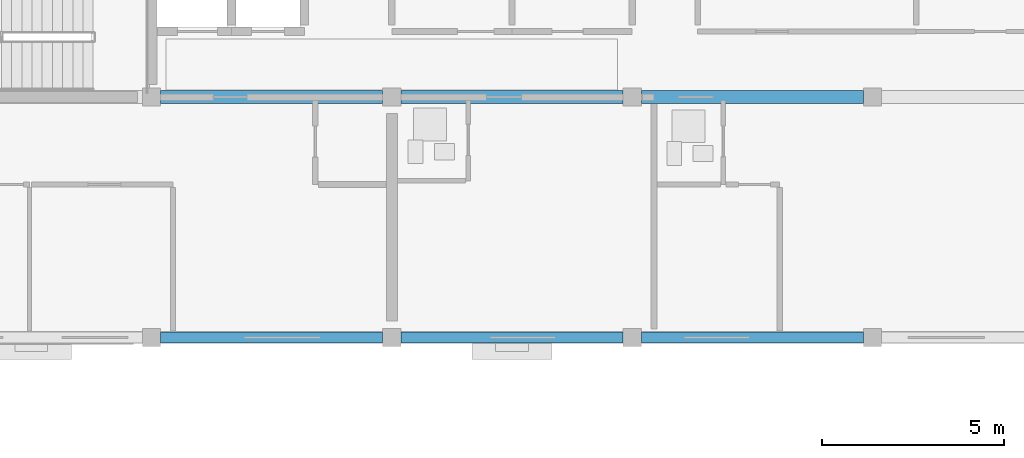
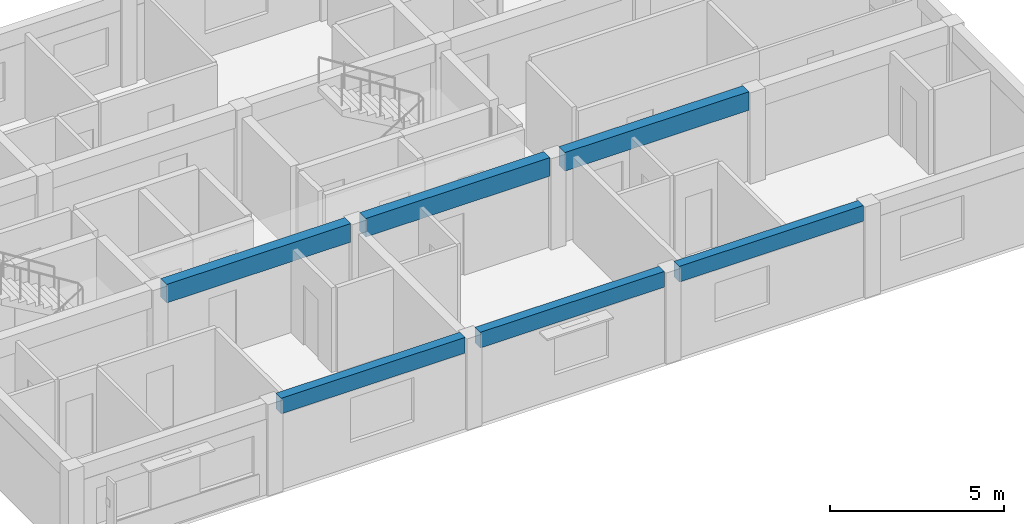
# One storey, part 20 of 53: 6 beams.
"""IFC4 building model written with IfcOpenShell, lengths in metres."""

from ifc_helpers import new_model, si_unit, direction, frame, origin, origin_2d, place, context, subcontext, project, spatial, rectangle, extrude, material, material_profile, profile_set, type_object, element, save


model = new_model("IFC4")

# Units and contexts
model_context = context("Model", 3, precision=1e-05, world=origin(), true_north=direction((0.0, 1.0)))
body_context = subcontext(model_context, "Body", "Model", "MODEL_VIEW")
ifc_project = project(units=[si_unit("LENGTHUNIT", "METRE"), si_unit("AREAUNIT", "SQUARE_METRE"), si_unit("VOLUMEUNIT", "CUBIC_METRE"), si_unit("PLANEANGLEUNIT", "RADIAN"), si_unit("MASSUNIT", "GRAM", prefix="KILO")], contexts=[model_context])

# Site, building, storey
site_placement = place(None, origin())
site = spatial("IfcSite", under=ifc_project, at=site_placement, CompositionType="ELEMENT")
building_placement = place(site_placement, origin())
building = spatial("IfcBuilding", under=site, at=building_placement, Name="Kernevlak Ridge Housing Community", CompositionType="ELEMENT")
storey_placement = place(building_placement, frame((0.0, 0.0, 18.0)))
storey = spatial("IfcBuildingStorey", under=building, at=storey_placement, Name="L05", CompositionType="ELEMENT", Elevation=18.0)

# Beams
ifc_material = material(Name="Concrete C35/45", Category="concrete")
ifc_material_profile_1 = material_profile(ifc_material, rectangle(XDim=0.35009765625, YDim=0.64990234375, at=origin_2d()), Name="RC 350x650")
ifc_profile_set_1 = profile_set([ifc_material_profile_1], Name="Concrete C35/45")
beam_type_1 = type_object("IfcBeamType", Name="B-02", PredefinedType="BEAM", material=ifc_profile_set_1)
beam_1_placement = place(storey_placement, frame((126.25, 89.199951171875, 2.875), z_axis=(1.0, 0.0, 0.0), x_axis=(0.0, 1.0, 0.0)))
element("IfcBeam", 1, at=beam_1_placement, inside=storey, type_object=beam_type_1, Name="Beam B-02 L05 713", PredefinedType="BEAM", context=body_context, shape_type="SweptSolid", body=[
    extrude(rectangle(XDim=0.35009765625, YDim=0.64990234375, at=origin_2d()), origin(), (0.0, 0.0, 1.0), 6.10009765625),
])
beam_2_placement = place(storey_placement, frame((132.85009765625, 89.199951171875, 2.875), z_axis=(1.0, 0.0, 0.0), x_axis=(0.0, 1.0, 0.0)))
element("IfcBeam", 2, at=beam_2_placement, inside=storey, type_object=beam_type_1, Name="Beam B-02 L05 714", PredefinedType="BEAM", context=body_context, shape_type="SweptSolid", body=[
    extrude(rectangle(XDim=0.35009765625, YDim=0.64990234375, at=origin_2d()), origin(), (0.0, 0.0, 1.0), 6.099853515625),
])
beam_3_placement = place(storey_placement, frame((139.449951171875, 89.199951171875, 2.875), z_axis=(1.0, 0.0, 0.0), x_axis=(0.0, 1.0, 0.0)))
element("IfcBeam", 3, at=beam_3_placement, inside=storey, type_object=beam_type_1, Name="Beam B-02 L05 715", PredefinedType="BEAM", context=body_context, shape_type="SweptSolid", body=[
    extrude(rectangle(XDim=0.35009765625, YDim=0.64990234375, at=origin_2d()), origin(), (0.0, 0.0, 1.0), 6.10009765625),
])
ifc_material_profile_2 = material_profile(ifc_material, rectangle(XDim=0.300048828125, YDim=0.550048828125, at=origin_2d()), Name="RC 300x550")
ifc_profile_set_2 = profile_set([ifc_material_profile_2], Name="Concrete C35/45")
beam_type_2 = type_object("IfcBeamType", Name="SP-01", PredefinedType="SPANDREL", material=ifc_profile_set_2)
beam_4_placement = place(storey_placement, frame((126.25, 82.60009765625, 2.925048828125), z_axis=(1.0, 0.0, 0.0), x_axis=(0.0, 1.0, 0.0)))
element("IfcBeam", 4, at=beam_4_placement, inside=storey, type_object=beam_type_2, Name="Beam SP-01 L05 708", PredefinedType="SPANDREL", context=body_context, shape_type="SweptSolid", body=[
    extrude(rectangle(XDim=0.300048828125, YDim=0.550048828125, at=origin_2d()), origin(), (0.0, 0.0, 1.0), 6.10009765625),
])
beam_5_placement = place(storey_placement, frame((132.85009765625, 82.60009765625, 2.925048828125), z_axis=(1.0, 0.0, 0.0), x_axis=(0.0, 1.0, 0.0)))
element("IfcBeam", 5, at=beam_5_placement, inside=storey, type_object=beam_type_2, Name="Beam SP-01 L05 709", PredefinedType="SPANDREL", context=body_context, shape_type="SweptSolid", body=[
    extrude(rectangle(XDim=0.300048828125, YDim=0.550048828125, at=origin_2d()), origin(), (0.0, 0.0, 1.0), 6.099853515625),
])
beam_6_placement = place(storey_placement, frame((139.449951171875, 82.60009765625, 2.925048828125), z_axis=(1.0, 0.0, 0.0), x_axis=(0.0, 1.0, 0.0)))
element("IfcBeam", 6, at=beam_6_placement, inside=storey, type_object=beam_type_2, Name="Beam SP-01 L05 710", PredefinedType="SPANDREL", context=body_context, shape_type="SweptSolid", body=[
    extrude(rectangle(XDim=0.300048828125, YDim=0.550048828125, at=origin_2d()), origin(), (0.0, 0.0, 1.0), 6.10009765625),
])

save(model, "model.ifc")
